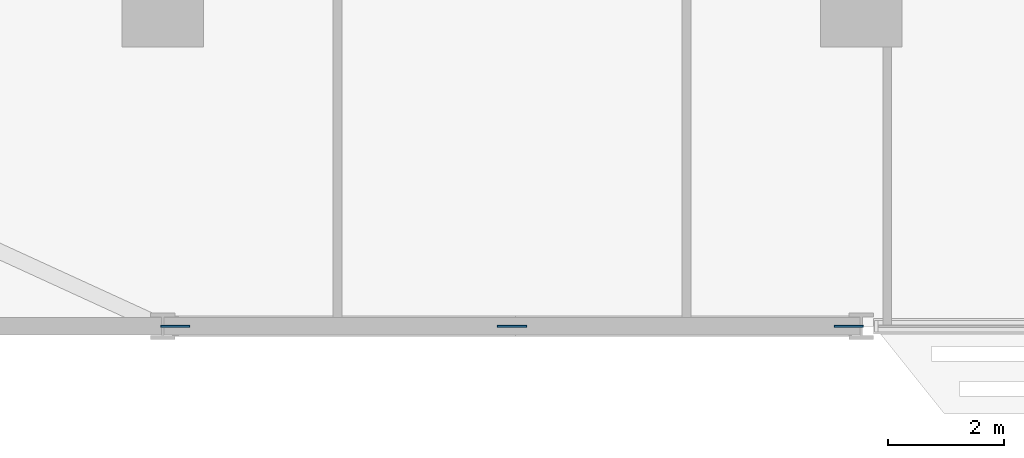
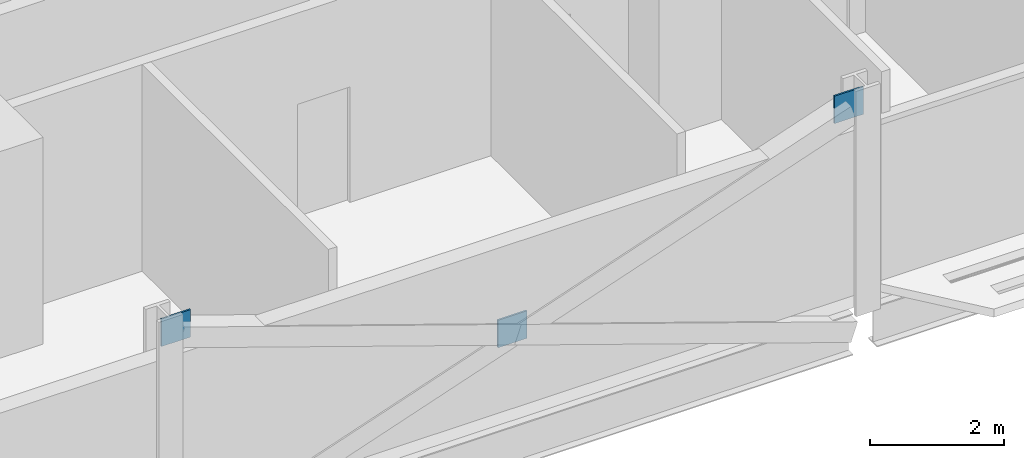
# One storey, part 19 of 29: 3 discrete accessories.
"""IFC4 building model written with IfcOpenShell, lengths in metres."""

from ifc_helpers import new_model, si_unit, direction, frame, origin, origin_2d, place, context, subcontext, project, spatial, rectangle, extrude, material, layer, layer_set, type_object, element, save


model = new_model("IFC4")

# Units and contexts
model_context = context("Model", 3, precision=1e-05, world=origin(), true_north=direction((0.0, 1.0)))
body_context = subcontext(model_context, "Body", "Model", "MODEL_VIEW")
ifc_project = project(units=[si_unit("LENGTHUNIT", "METRE"), si_unit("AREAUNIT", "SQUARE_METRE"), si_unit("VOLUMEUNIT", "CUBIC_METRE"), si_unit("PLANEANGLEUNIT", "RADIAN"), si_unit("MASSUNIT", "GRAM", prefix="KILO")], contexts=[model_context])

# Site, building, storey
site_placement = place(None, origin())
site = spatial("IfcSite", under=ifc_project, at=site_placement, CompositionType="ELEMENT")
building_placement = place(site_placement, origin())
building = spatial("IfcBuilding", under=site, at=building_placement, Name="Mahtab Terrace Research Tower", CompositionType="ELEMENT")
storey_placement = place(building_placement, frame((0.0, 0.0, 105.300048828125)))
storey = spatial("IfcBuildingStorey", under=building, at=storey_placement, Name="L24", CompositionType="ELEMENT", Elevation=105.300048828125)

# Discrete accessories
ifc_material = material(Name="Steel ASTM A992 Gr 50", Category="steel")
ifc_layer = layer(ifc_material, 0.030029296875)
ifc_layer_set = layer_set([ifc_layer], Name="Gusset plate 500x500x30")
discrete_accessory_type = type_object("IfcDiscreteAccessoryType", Name="Gusset plate 500x500x30", PredefinedType="USERDEFINED", material=ifc_layer_set)
for number, where, z_axis, x_axis, name in (
    (1, (-29.790283203125, -17.0, 3.131591796875), (0.0, 0.0, 1.0), (1.0, 0.0, 0.0), "Gusset plate"),
    (2, (-24.0, -17.0, 1.08154296875), (0.0, 0.0, 1.0), (1.0, 0.0, 0.0), "Gusset plate"),
    (3, (-18.209716796875, -17.0, 3.131591796875), (0.0, 0.0, 1.0), (1.0, 0.0, 0.0), "Gusset plate"),
):
    element("IfcDiscreteAccessory", number, at=place(storey_placement, frame(where, z_axis=z_axis, x_axis=x_axis)), inside=storey, type_object=discrete_accessory_type, Name=name, ObjectType="GUSSET PLATE", PredefinedType="USERDEFINED", context=body_context, shape_type="SweptSolid", body=[
        extrude(rectangle(XDim=0.5, YDim=0.030029296875, at=origin_2d()), origin(), (0.0, 0.0, 1.0), 0.5),
    ])

save(model, "model.ifc")
